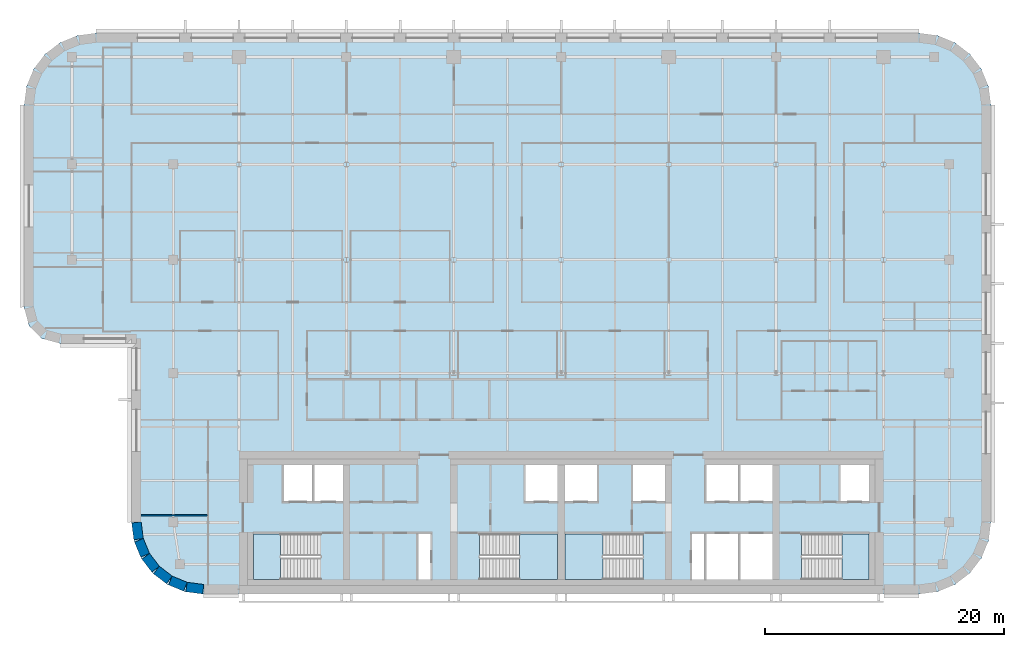
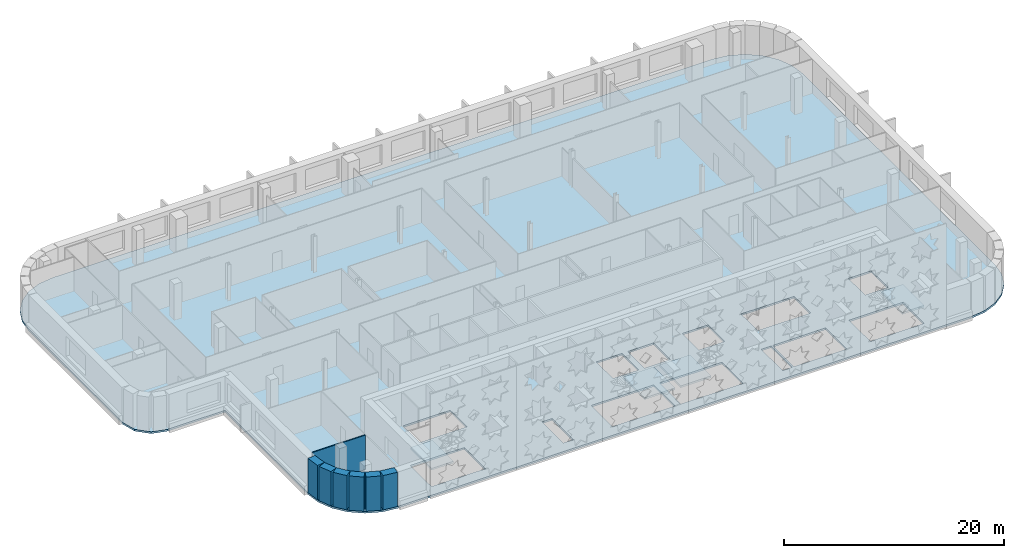
# One storey, part 6 of 18: 7 walls, 5 slabs, 4 elements without a shape of their own.
"""IFC4 building model written with IfcOpenShell, lengths in metres."""

from ifc_helpers import new_model, si_unit, direction, frame, frame_2d, origin, place, context, subcontext, project, spatial, polyline, rectangle, outline, extrude, material, layer, layer_set, type_object, element, aggregate, save


model = new_model("IFC4")

# Units and contexts
model_context = context("Model", 3, precision=1e-05, world=origin(), true_north=direction((0.0, 1.0)))
body_context = subcontext(model_context, "Body", "Model", "MODEL_VIEW")
ifc_project = project(units=[si_unit("LENGTHUNIT", "METRE"), si_unit("AREAUNIT", "SQUARE_METRE"), si_unit("VOLUMEUNIT", "CUBIC_METRE"), si_unit("PLANEANGLEUNIT", "RADIAN"), si_unit("MASSUNIT", "GRAM", prefix="KILO")], contexts=[model_context])

# Site, building, storey
site_placement = place(None, origin())
site = spatial("IfcSite", under=ifc_project, at=site_placement, CompositionType="ELEMENT")
building_placement = place(site_placement, origin())
building = spatial("IfcBuilding", under=site, at=building_placement, Name="Zellij Exchange Tower", CompositionType="ELEMENT")
storey_placement = place(building_placement, frame((0.0, 0.0, 228.5)))
storey = spatial("IfcBuildingStorey", under=building, at=storey_placement, Name="L53", CompositionType="ELEMENT", Elevation=228.5)

# Stair, slab
ifc_material_1 = material(Name="Concrete C40/50", Category="concrete")
stair_type = type_object("IfcStairType", Name="CORE-ST exit stair 1850 wide", PredefinedType="HALF_TURN_STAIR", material=ifc_material_1)
stair_1_placement = place(storey_placement, origin())
stair_1 = element("IfcStair", 1, at=stair_1_placement, inside=storey, type_object=stair_type, Name="L53 exit stair ST1", PredefinedType="HALF_TURN_STAIR")
ifc_layer_1 = layer(ifc_material_1, 0.199951171875)
ifc_layer_set_1 = layer_set([ifc_layer_1], Name="Concrete C40/50")
slab_type_1 = type_object("IfcSlabType", Name="CORE-SL stair landing 200", PredefinedType="LANDING", material=ifc_layer_set_1)
slab_1_placement = place(storey_placement, frame((0.0, 0.0, 1.800048828125)))
slab_1 = element("IfcSlab", 2, at=slab_1_placement, type_object=slab_type_1, Name="ST1 landing 1", PredefinedType="LANDING", context=body_context, shape_type="SweptSolid", body=[
    extrude(outline(polyline([(-23.510009765625, -8.949951171875), (-25.800048828125, -8.949951171875), (-25.800048828125, -12.800048828125), (-23.510009765625, -12.800048828125), (-23.510009765625, -8.949951171875)])), origin(), (0.0, 0.0, 1.0), 0.199951171875),
])
aggregate(stair_1, [slab_1])

stair_2_placement = place(storey_placement, origin())
stair_2 = element("IfcStair", 3, at=stair_2_placement, inside=storey, type_object=stair_type, Name="L53 exit stair ST2", PredefinedType="HALF_TURN_STAIR")
slab_2_placement = place(storey_placement, frame((0.0, 0.0, 1.800048828125)))
slab_2 = element("IfcSlab", 4, at=slab_2_placement, type_object=slab_type_1, Name="ST2 landing 1", PredefinedType="LANDING", context=body_context, shape_type="SweptSolid", body=[
    extrude(outline(polyline([(-3.489990234375, -12.800048828125), (-0.300048828125, -12.800048828125), (-0.300048828125, -8.949951171875), (-3.489990234375, -8.949951171875), (-3.489990234375, -12.800048828125)])), origin(), (0.0, 0.0, 1.0), 0.199951171875),
])
aggregate(stair_2, [slab_2])

stair_3_placement = place(storey_placement, origin())
stair_3 = element("IfcStair", 5, at=stair_3_placement, inside=storey, type_object=stair_type, Name="L53 exit stair ST3", PredefinedType="HALF_TURN_STAIR")
slab_3_placement = place(storey_placement, frame((0.0, 0.0, 1.800048828125)))
slab_3 = element("IfcSlab", 6, at=slab_3_placement, type_object=slab_type_1, Name="ST3 landing 1", PredefinedType="LANDING", context=body_context, shape_type="SweptSolid", body=[
    extrude(outline(polyline([(3.489990234375, -8.949951171875), (0.300048828125, -8.949951171875), (0.300048828125, -12.800048828125), (3.489990234375, -12.800048828125), (3.489990234375, -8.949951171875)])), origin(), (0.0, 0.0, 1.0), 0.199951171875),
])
aggregate(stair_3, [slab_3])

stair_4_placement = place(storey_placement, origin())
stair_4 = element("IfcStair", 7, at=stair_4_placement, inside=storey, type_object=stair_type, Name="L53 exit stair ST4", PredefinedType="HALF_TURN_STAIR")
slab_4_placement = place(storey_placement, frame((0.0, 0.0, 1.800048828125)))
slab_4 = element("IfcSlab", 8, at=slab_4_placement, type_object=slab_type_1, Name="ST4 landing 1", PredefinedType="LANDING", context=body_context, shape_type="SweptSolid", body=[
    extrude(outline(polyline([(23.510009765625, -12.800048828125), (25.800048828125, -12.800048828125), (25.800048828125, -8.949951171875), (23.510009765625, -8.949951171875), (23.510009765625, -12.800048828125)])), origin(), (0.0, 0.0, 1.0), 0.199951171875),
])
aggregate(stair_4, [slab_4])

# Slab
ifc_layer_2 = layer(ifc_material_1, 0.199951171875)
ifc_layer_set_2 = layer_set([ifc_layer_2], Name="Concrete C40/50")
slab_type_2 = type_object("IfcSlabType", Name="STR-FLOOR SLAB 200 C40/50", PredefinedType="FLOOR", material=ifc_layer_set_2)
slab_5_placement = place(storey_placement, frame((0.0, 0.0, -0.2001953125)))
element("IfcSlab", 9, at=slab_5_placement, inside=storey, type_object=slab_type_2, Name="Floor L53", PredefinedType="FLOOR", context=body_context, shape_type="SweptSolid", body=[
    extrude(outline(polyline([(31.552978515625, 32.795654296875), (33.0, 32.1962890625), (34.24267578125, 31.24267578125), (35.1962890625, 30.0), (35.795654296875, 28.552978515625), (36.0, 27.0), (36.0, -8.0), (35.795654296875, -9.552978515625), (35.1962890625, -11.0), (34.24267578125, -12.24267578125), (33.0, -13.1962890625), (31.552978515625, -13.795654296875), (30.0, -14.0), (-30.0, -14.0), (-31.552978515625, -13.795654296875), (-33.0, -13.1962890625), (-34.24267578125, -12.24267578125), (-35.1962890625, -11.0), (-35.795654296875, -9.552978515625), (-36.0, -8.0), (-36.0, 7.0), (-42.0, 7.0), (-43.5, 7.40185546875), (-44.59814453125, 8.5), (-45.0, 10.0), (-45.0, 27.0), (-44.795654296875, 28.552978515625), (-44.1962890625, 30.0), (-43.24267578125, 31.24267578125), (-42.0, 32.1962890625), (-40.552978515625, 32.795654296875), (-39.0, 33.0), (30.0, 33.0), (31.552978515625, 32.795654296875)]), holes=[polyline([(-25.800048828125, -8.949951171875), (-25.800048828125, -12.800048828125), (-20.153076171875, -12.800048828125), (-20.153076171875, -8.949951171875), (-25.800048828125, -8.949951171875)]), polyline([(-10.949951171875, -8.949951171875), (-12.0, -8.949951171875), (-12.0, -12.800048828125), (-10.949951171875, -12.800048828125), (-10.949951171875, -8.949951171875)]), polyline([(-0.300048828125, -8.949951171875), (-6.846923828125, -8.949951171875), (-6.846923828125, -12.800048828125), (-0.300048828125, -12.800048828125), (-0.300048828125, -8.949951171875)]), polyline([(0.300048828125, -8.949951171875), (0.300048828125, -12.800048828125), (6.846923828125, -12.800048828125), (6.846923828125, -8.949951171875), (0.300048828125, -8.949951171875)]), polyline([(-18.300048828125, -3.199951171875), (-23.25, -3.199951171875), (-23.25, -6.22509765625), (-18.300048828125, -6.22509765625), (-18.300048828125, -3.199951171875)]), polyline([(-0.300048828125, -3.199951171875), (-3.0, -3.199951171875), (-3.0, -6.22509765625), (-0.300048828125, -6.22509765625), (-0.300048828125, -3.199951171875)]), polyline([(0.300048828125, -3.199951171875), (0.300048828125, -6.22509765625), (3.0, -6.22509765625), (3.0, -3.199951171875), (0.300048828125, -3.199951171875)]), polyline([(12.0, -8.949951171875), (10.949951171875, -8.949951171875), (10.949951171875, -12.800048828125), (12.0, -12.800048828125), (12.0, -8.949951171875)]), polyline([(17.699951171875, -8.949951171875), (12.14990234375, -8.949951171875), (12.14990234375, -12.800048828125), (17.699951171875, -12.800048828125), (17.699951171875, -8.949951171875)]), polyline([(25.800048828125, -8.949951171875), (20.153076171875, -8.949951171875), (20.153076171875, -12.800048828125), (25.800048828125, -12.800048828125), (25.800048828125, -8.949951171875)]), polyline([(8.699951171875, -3.199951171875), (6.0, -3.199951171875), (6.0, -6.22509765625), (8.699951171875, -6.22509765625), (8.699951171875, -3.199951171875)]), polyline([(17.699951171875, -3.199951171875), (12.14990234375, -3.199951171875), (12.14990234375, -6.22509765625), (17.699951171875, -6.22509765625), (17.699951171875, -3.199951171875)]), polyline([(25.800048828125, -3.199951171875), (23.39990234375, -3.199951171875), (23.39990234375, -6.22509765625), (25.800048828125, -6.22509765625), (25.800048828125, -3.199951171875)])]), origin(), (0.0, 0.0, 1.0), 0.2001953125),
])

# Walls
ifc_material_2 = material(Name="Precast concrete C40/50", Category="concrete")
ifc_layer_3 = layer(ifc_material_2, 0.800048828125)
ifc_layer_set_3 = layer_set([ifc_layer_3], Name="Precast concrete C40/50")
wall_type_1 = type_object("IfcWallType", Name="ENV-EW1 Precast stone-piered wall 800", PredefinedType="SOLIDWALL", material=ifc_layer_set_3)
wall_1_placement = place(storey_placement, frame((-35.5966796875, -7.999755859375, 0.0), z_axis=(0.0, 0.0, 1.0), x_axis=(0.130517283865, -0.99144603414, 0.0)))
element("IfcWall", 10, at=wall_1_placement, inside=storey, type_object=wall_type_1, Name="fac.L53.27", PredefinedType="SOLIDWALL", context=body_context, shape_type="SweptSolid", body=[
    extrude(rectangle(XDim=1.408447265625, YDim=0.800048828125, at=frame_2d((0.7041015625, 0.0))), origin(), (0.0, 0.0, 1.0), 3.800048828125),
])
wall_2_placement = place(storey_placement, frame((-35.3857421875, -9.497314453125, 0.0), z_axis=(0.0, 0.0, 1.0), x_axis=(0.38276009378, -0.923847774587, 0.0)))
element("IfcWall", 11, at=wall_2_placement, inside=storey, type_object=wall_type_1, Name="fac.L53.28", PredefinedType="SOLIDWALL", context=body_context, shape_type="SweptSolid", body=[
    extrude(rectangle(XDim=1.35546875, YDim=0.800048828125, at=frame_2d((0.677734375, 0.0))), origin(), (0.0, 0.0, 1.0), 3.800048828125),
])
for number, where, z_axis, x_axis, name in (
    (12, (-34.814697265625, -10.840087890625, 0.0), (0.0, 0.0, 1.0), (0.608866226366, -0.793272915452, 0.0), "fac.L53.29"),
    (13, (-33.91552734375, -11.9892578125, 0.0), (0.0, 0.0, 1.0), (0.793272915452, -0.608866226366, 0.0), "fac.L53.30"),
):
    element("IfcWall", number, at=place(storey_placement, frame(where, z_axis=z_axis, x_axis=x_axis)), inside=storey, type_object=wall_type_1, Name=name, PredefinedType="SOLIDWALL", context=body_context, shape_type="SweptSolid", body=[
        extrude(rectangle(XDim=1.355712890625, YDim=0.800048828125, at=frame_2d((0.677734375, 0.0))), origin(), (0.0, 0.0, 1.0), 3.800048828125),
    ])
wall_3_placement = place(storey_placement, frame((-32.74951171875, -12.866943359375, 0.0), z_axis=(0.0, 0.0, 1.0), x_axis=(0.923847774587, -0.38276009378, 0.0)))
element("IfcWall", 14, at=wall_3_placement, inside=storey, type_object=wall_type_1, Name="fac.L53.31", PredefinedType="SOLIDWALL", context=body_context, shape_type="SweptSolid", body=[
    extrude(rectangle(XDim=1.35546875, YDim=0.800048828125, at=frame_2d((0.677734375, 0.0))), origin(), (0.0, 0.0, 1.0), 3.800048828125),
])
wall_4_placement = place(storey_placement, frame((-31.396240234375, -13.412841796875, 0.0), z_axis=(0.0, 0.0, 1.0), x_axis=(0.99144603414, -0.130517283865, 0.0)))
element("IfcWall", 15, at=wall_4_placement, inside=storey, type_object=wall_type_1, Name="fac.L53.32", PredefinedType="SOLIDWALL", context=body_context, shape_type="SweptSolid", body=[
    extrude(rectangle(XDim=1.408447265625, YDim=0.800048828125, at=frame_2d((0.7041015625, 0.0))), origin(), (0.0, 0.0, 1.0), 3.800048828125),
])
ifc_material_3 = material(Name="Gypsum board partition on steel studs", Category="steel")
ifc_layer_4 = layer(ifc_material_3, 0.10009765625)
ifc_layer_set_4 = layer_set([ifc_layer_4], Name="Gypsum board partition on steel studs")
wall_type_2 = type_object("IfcWallType", Name="FIT-PARTITION-100", PredefinedType="PARTITIONING", material=ifc_layer_set_4)
wall_5_placement = place(storey_placement, frame((-35.199951171875, -7.39990234375, 0.0), z_axis=(0.0, 0.0, 1.0), x_axis=(1.0, 0.0, 0.0)))
element("IfcWall", 16, at=wall_5_placement, inside=storey, type_object=wall_type_2, Name="FIT-PARTITION-100 003", PredefinedType="PARTITIONING", context=body_context, shape_type="SweptSolid", body=[
    extrude(rectangle(XDim=5.550048828125, YDim=0.10009765625, at=frame_2d((2.77490234375, 0.0))), origin(), (0.0, 0.0, 1.0), 3.800048828125),
])

save(model, "model.ifc")
